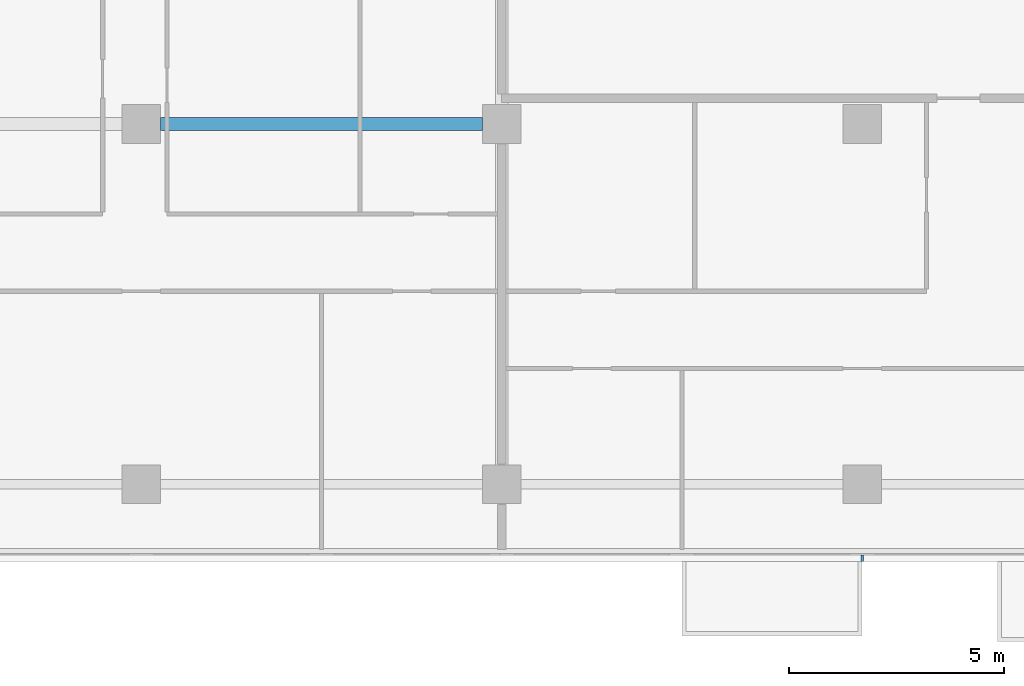
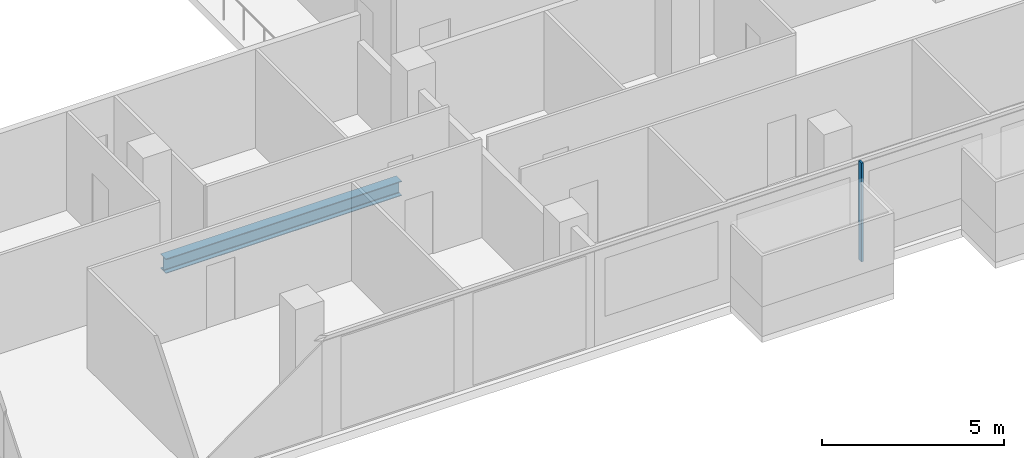
# One storey, part 6 of 29: 1 beam, 1 member, 1 element without a shape of its own.
"""IFC4 building model written with IfcOpenShell, lengths in metres."""

import ifcopenshell
import ifcopenshell.guid

model = None  # the IFC model being written
_history = None  # IfcOwnerHistory: only IFC2X3 demands one
_inside = {}  # id of a spatial element -> (the spatial element, [elements in it])
_under = {}  # id of a project, library or spatial element -> (it, [spatial elements below it])
_declared = {}  # id of a project -> (the project, [libraries it declares])
_typed = {}  # id of a type object -> (the type object, [elements of that type])
_made_of = {}  # id of a material, layer set ... -> (it, [elements and type objects made of it])


def new_model(schema):
    """Start an empty IFC model of exactly this schema.

    Asked for "IFC4X3", IfcOpenShell would pick the latest addendum, in which some entities
    have other attributes; the version numbers below select the first issue.
    IFC2X3 requires an IfcOwnerHistory on every rooted entity: one is made here for all.
    """
    global model, _history
    if schema == "IFC4X3":
        model = ifcopenshell.file(schema_version=(4, 3, 0, 0))
    else:
        model = ifcopenshell.file(schema=schema)
    _inside.clear()
    _under.clear()
    _declared.clear()
    _typed.clear()
    _made_of.clear()
    _history = None
    if model.schema == "IFC2X3":
        org = make("IfcOrganization", Name="unknown")
        user = make(
            "IfcPersonAndOrganization",
            ThePerson=make("IfcPerson", FamilyName="unknown"),
            TheOrganization=org,
        )
        app = make(
            "IfcApplication",
            ApplicationDeveloper=org,
            Version="unknown",
            ApplicationFullName="unknown",
            ApplicationIdentifier="unknown",
        )
        _history = make(
            "IfcOwnerHistory",
            OwningUser=user,
            OwningApplication=app,
            ChangeAction="ADDED",
            CreationDate=0,
        )
    return model


def make(cls, **values):
    """One entity of the class cls with the attributes given. An attribute that is None is left unset."""
    return model.create_entity(
        cls, **{name: value for name, value in values.items() if value is not None}
    )


def rooted(cls, **values):
    """An entity with a GlobalId (a new one), such as an element, a storey or a relation."""
    return make(cls, GlobalId=ifcopenshell.guid.new(), OwnerHistory=_history, **values)


def si_unit(unit_type, name, prefix=None):
    """IfcSIUnit, for example si_unit("LENGTHUNIT", "METRE", prefix="MILLI")."""
    return make("IfcSIUnit", UnitType=unit_type, Prefix=prefix, Name=name)


def assignment(units):
    """IfcUnitAssignment: the units of a project."""
    return None if units is None else make("IfcUnitAssignment", Units=units)


def point(xyz):
    """IfcCartesianPoint."""
    return None if xyz is None else make("IfcCartesianPoint", Coordinates=xyz)


def direction(xyz):
    """IfcDirection."""
    return None if xyz is None else make("IfcDirection", DirectionRatios=xyz)


def frame(location, z_axis=None, x_axis=None):
    """IfcAxis2Placement3D, a coordinate frame: its origin and axes. An axis left out is left unset."""
    return make(
        "IfcAxis2Placement3D",
        Location=point(location),
        Axis=direction(z_axis),
        RefDirection=direction(x_axis),
    )


def frame_2d(location, x_axis=None):
    """IfcAxis2Placement2D, a coordinate frame in the plane: its origin and x axis."""
    return make(
        "IfcAxis2Placement2D", Location=point(location), RefDirection=direction(x_axis)
    )


def origin():
    """The frame at (0, 0, 0) with its axes left unset."""
    return frame((0.0, 0.0, 0.0))


def origin_2d():
    """The frame at (0, 0) in the plane with its x axis left unset."""
    return frame_2d((0.0, 0.0))


def place(relative_to, where):
    """IfcLocalPlacement: puts the frame where relative to a parent placement (None: the world)."""
    return make(
        "IfcLocalPlacement", PlacementRelTo=relative_to, RelativePlacement=where
    )


def context(
    kind, dimensions, precision=None, world=None, true_north=None, identifier=None
):
    """IfcGeometricRepresentationContext, for example the 3D "Model" context."""
    return make(
        "IfcGeometricRepresentationContext",
        ContextIdentifier=identifier,
        ContextType=kind,
        CoordinateSpaceDimension=dimensions,
        Precision=precision,
        WorldCoordinateSystem=world,
        TrueNorth=true_north,
    )


def subcontext(parent, identifier, kind, view, scale=None):
    """IfcGeometricRepresentationSubContext, for example "Body" below "Model"."""
    return make(
        "IfcGeometricRepresentationSubContext",
        ContextIdentifier=identifier,
        ContextType=kind,
        ParentContext=parent,
        TargetScale=scale,
        TargetView=view,
    )


def project(units=None, contexts=None):
    """IfcProject with its units and contexts."""
    return rooted(
        "IfcProject",
        Name="project",
        RepresentationContexts=contexts,
        UnitsInContext=assignment(units),
    )


def spatial(cls, under=None, at=None, **own):
    """A site, building, storey or space (cls), placed at a placement, below another one or the project."""
    s = rooted(cls, ObjectPlacement=at, **own)
    if under is not None:
        _under.setdefault(under.id(), (under, []))[1].append(s)
    return s


def profile(cls, at=None, kind="AREA", **sizes):
    """A parametric profile (cls). Its sizes go by their IFC names, for example OverallWidth=200.0."""
    return make(cls, ProfileType=kind, Position=at, **sizes)


def rectangle(**sizes):
    """IfcRectangleProfileDef."""
    return profile("IfcRectangleProfileDef", **sizes)


def i_section(**sizes):
    """IfcIShapeProfileDef."""
    return profile("IfcIShapeProfileDef", **sizes)


def extrude(swept, where, along, depth):
    """IfcExtrudedAreaSolid: the profile swept, set in the frame where, extruded along a direction by depth."""
    return make(
        "IfcExtrudedAreaSolid",
        SweptArea=swept,
        Position=where,
        ExtrudedDirection=direction(along),
        Depth=depth,
    )


def shape(context_of_items, identifier, shape_type, items):
    """IfcShapeRepresentation: the items that make up one representation, for example the "Body"."""
    return make(
        "IfcShapeRepresentation",
        ContextOfItems=context_of_items,
        RepresentationIdentifier=identifier,
        RepresentationType=shape_type,
        Items=items,
    )


def material(Name=None, Category=None):
    """IfcMaterial."""
    return make("IfcMaterial", Name=Name, Category=Category)


def material_profile(
    of_material, cross_section, Name=None, Category=None, Priority=None
):
    """IfcMaterialProfile: a cross section and its material."""
    return make(
        "IfcMaterialProfile",
        Name=Name,
        Material=of_material,
        Profile=cross_section,
        Priority=Priority,
        Category=Category,
    )


def profile_set(profiles, Name=None, composite=None):
    """IfcMaterialProfileSet."""
    return make(
        "IfcMaterialProfileSet",
        Name=Name,
        MaterialProfiles=profiles,
        CompositeProfile=composite,
    )


def made_of(thing, what):
    """Note that an element or type object is made of a material, layer set ...; save() writes the relation."""
    if what is not None:
        _made_of.setdefault(what.id(), (what, []))[1].append(thing)
    return thing


def type_object(cls, material=None, **own):
    """A type object (cls), such as IfcWallType, which elements share."""
    return made_of(rooted(cls, **own), material)


def element(
    cls,
    number,
    at=None,
    inside=None,
    cuts=None,
    type_object=None,
    material=None,
    context=None,
    identifier="Body",
    shape_type=None,
    held_by="IfcProductDefinitionShape",
    body=None,
    shapes=None,
    **own,
):
    """One element of the class cls, such as IfcWall. Its Tag is "e" and its number.

    at: its placement. inside: the storey or other place that contains it. cuts: it is an
    opening in that element (IfcRelVoidsElement). A single representation is given by context,
    identifier, shape_type and body (its items); several are given by shapes. held_by: the class
    of the entity that holds the representations. save() writes the other relations.
    """
    e = rooted(cls, Tag="e%d" % number, ObjectPlacement=at, **own)
    if body is not None:
        shapes = [shape(context, identifier, shape_type, body)]
    if shapes is not None:
        e.Representation = make(held_by, Representations=shapes)
    if inside is not None:
        _inside.setdefault(inside.id(), (inside, []))[1].append(e)
    if cuts is not None:
        rooted(
            "IfcRelVoidsElement", RelatingBuildingElement=cuts, RelatedOpeningElement=e
        )
    if type_object is not None:
        _typed.setdefault(type_object.id(), (type_object, []))[1].append(e)
    return made_of(e, material)


def aggregate(whole, parts):
    """IfcRelAggregates: a whole, such as a stair, and the parts it consists of."""
    return rooted("IfcRelAggregates", RelatingObject=whole, RelatedObjects=parts)


def save(model, path):
    """Write the relations noted so far, then the file.

    IfcRelAggregates (storeys below a building ...), IfcRelContainedInSpatialStructure (elements
    in a storey), IfcRelDefinesByType, IfcRelAssociatesMaterial and IfcRelDeclares: one each for
    every whole, place, type object, material and project.
    """
    for whole, parts in _under.values():
        aggregate(whole, parts)
    for where, things in _inside.values():
        rooted(
            "IfcRelContainedInSpatialStructure",
            RelatedElements=things,
            RelatingStructure=where,
        )
    for kind, things in _typed.values():
        rooted("IfcRelDefinesByType", RelatedObjects=things, RelatingType=kind)
    for what, things in _made_of.values():
        rooted("IfcRelAssociatesMaterial", RelatedObjects=things, RelatingMaterial=what)
    for by, libraries in _declared.values():
        rooted("IfcRelDeclares", RelatingContext=by, RelatedDefinitions=libraries)
    model.write(path)


model = new_model("IFC4")

# Units and contexts
model_context = context("Model", 3, precision=1e-05, world=origin(), true_north=direction((0.0, 1.0)))
body_context = subcontext(model_context, "Body", "Model", "MODEL_VIEW")
ifc_project = project(units=[si_unit("LENGTHUNIT", "METRE"), si_unit("AREAUNIT", "SQUARE_METRE"), si_unit("VOLUMEUNIT", "CUBIC_METRE"), si_unit("PLANEANGLEUNIT", "RADIAN"), si_unit("MASSUNIT", "GRAM", prefix="KILO")], contexts=[model_context])

# Site, building, storey
site_placement = place(None, origin())
site = spatial("IfcSite", under=ifc_project, at=site_placement, CompositionType="ELEMENT")
building_placement = place(site_placement, origin())
building = spatial("IfcBuilding", under=site, at=building_placement, Name="Saffron Gate Tower", CompositionType="ELEMENT")
storey_placement = place(building_placement, frame((0.0, 0.0, 55.199951171875)))
storey = spatial("IfcBuildingStorey", under=building, at=storey_placement, Name="L12", CompositionType="ELEMENT", Elevation=55.199951171875)

# Beam
ifc_material_1 = material(Name="Structural steel S355", Category="steel")
ifc_material_profile_1 = material_profile(ifc_material_1, i_section(OverallWidth=0.300048828125, OverallDepth=0.489990234375, WebThickness=0.011962890625, FlangeThickness=0.02294921875, FilletRadius=0.027099609375, at=origin_2d()))
ifc_profile_set_1 = profile_set([ifc_material_profile_1], Name="Structural steel S355")
beam_type = type_object("IfcBeamType", Name="B8 HEA 500", PredefinedType="BEAM", material=ifc_profile_set_1)
beam_placement = place(storey_placement, frame((92.25, 40.199951171875, -0.52490234375), z_axis=(1.0, 0.0, 0.0), x_axis=(0.0, 1.0, 0.0)))
element("IfcBeam", 1, at=beam_placement, inside=storey, type_object=beam_type, Name="B8 FLOOR GIRDER", PredefinedType="BEAM", context=body_context, shape_type="SweptSolid", body=[
    extrude(i_section(OverallWidth=0.300048828125, OverallDepth=0.489990234375, WebThickness=0.011962890625, FlangeThickness=0.02294921875, FilletRadius=0.027099609375, at=origin_2d()), origin(), (0.0, 0.0, 1.0), 7.5),
])

# Curtain wall, member
ifc_material_2 = material(Name="Aluminium, bronze anodised", Category="aluminium")
curtain_wall_type = type_object("IfcCurtainWallType", Name="CWS1 curtain wall front facade", PredefinedType="NOTDEFINED", material=ifc_material_2)
curtain_wall_placement = place(storey_placement, origin())
curtain_wall = element("IfcCurtainWall", 2, at=curtain_wall_placement, inside=storey, type_object=curtain_wall_type, Name="CWS1 run 1", PredefinedType="NOTDEFINED")
ifc_material_profile_2 = material_profile(ifc_material_2, rectangle(XDim=0.159912109375, YDim=0.06005859375, at=origin_2d()))
ifc_profile_set_2 = profile_set([ifc_material_profile_2], Name="Aluminium, bronze anodised")
member_type = type_object("IfcMemberType", Name="CWS1 mullion 60x160", PredefinedType="MULLION", material=ifc_profile_set_2)
member_placement = place(storey_placement, frame((108.60009765625, 30.080078125, 0.0), z_axis=(0.0, 0.0, 1.0), x_axis=(0.0, 1.0, 0.0)))
member = element("IfcMember", 3, at=member_placement, type_object=member_type, Name="CWS1 mullion 8", PredefinedType="MULLION", context=body_context, shape_type="SweptSolid", body=[
    extrude(rectangle(XDim=0.159912109375, YDim=0.06005859375, at=origin_2d()), origin(), (0.0, 0.0, 1.0), 3.320068359375),
])
aggregate(curtain_wall, [member])

save(model, "model.ifc")
